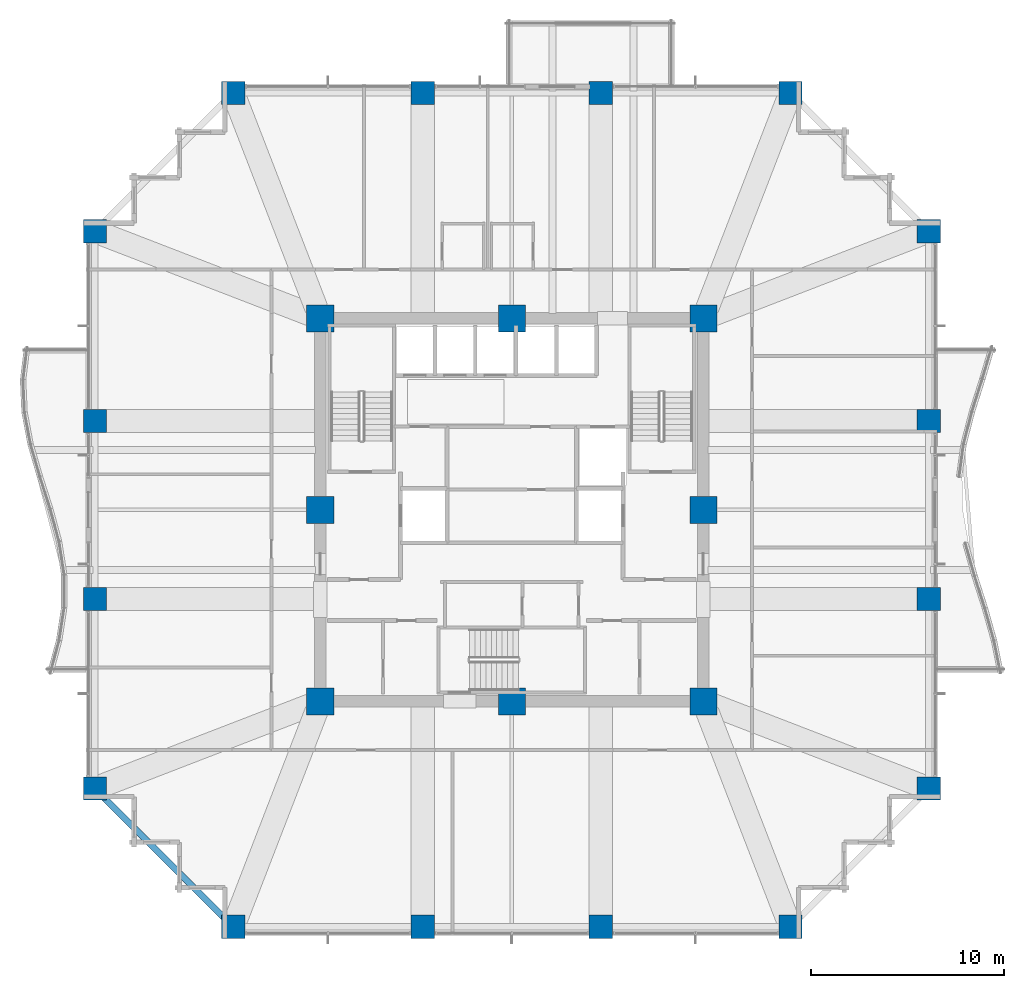
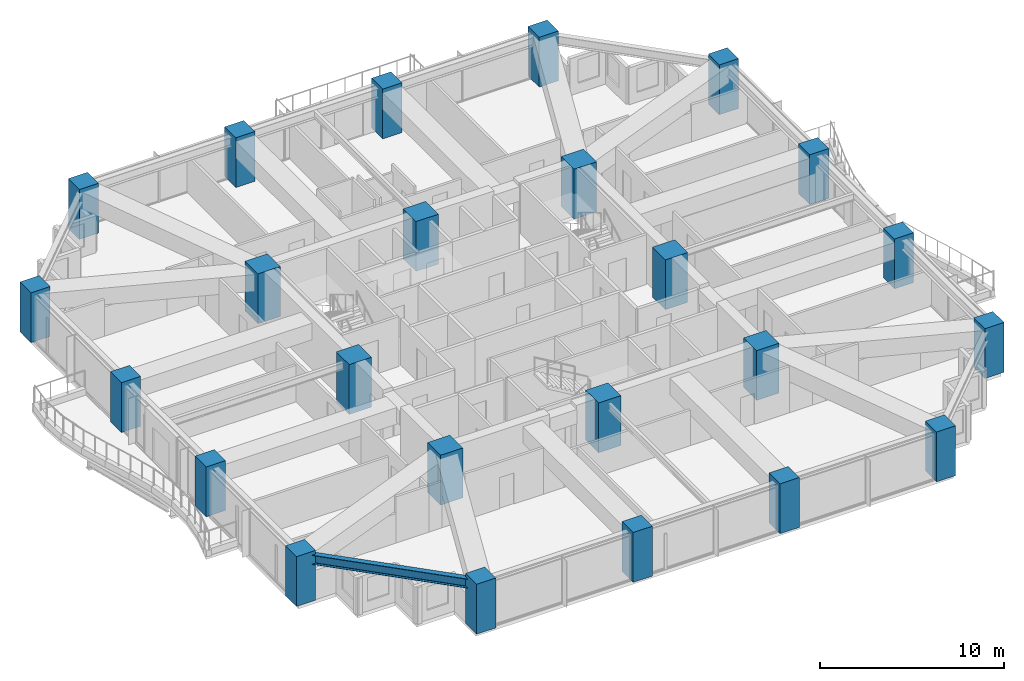
# One storey, part 1 of 39: 24 columns, 1 beam.
"""IFC4 building model written with IfcOpenShell, lengths in metres."""

from ifc_helpers import new_model, si_unit, direction, frame, origin, origin_2d, place, context, subcontext, project, spatial, rectangle, i_section, extrude, material, material_profile, profile_set, type_object, element, save


model = new_model("IFC4")

# Units and contexts
model_context = context("Model", 3, precision=1e-05, world=origin(), true_north=direction((0.0, 1.0)))
body_context = subcontext(model_context, "Body", "Model", "MODEL_VIEW")
ifc_project = project(units=[si_unit("LENGTHUNIT", "METRE"), si_unit("AREAUNIT", "SQUARE_METRE"), si_unit("VOLUMEUNIT", "CUBIC_METRE"), si_unit("PLANEANGLEUNIT", "RADIAN"), si_unit("MASSUNIT", "GRAM", prefix="KILO")], contexts=[model_context])

# Site, building, storey
site_placement = place(None, origin())
site = spatial("IfcSite", under=ifc_project, at=site_placement, CompositionType="ELEMENT")
building_placement = place(site_placement, origin())
building = spatial("IfcBuilding", under=site, at=building_placement, Name="Kolvaren Belvedere", CompositionType="ELEMENT")
storey_placement = place(building_placement, frame((0.0, 0.0, 33.699951171875)))
storey = spatial("IfcBuildingStorey", under=building, at=storey_placement, Name="L09", CompositionType="ELEMENT", Elevation=33.699951171875)

# Columns
ifc_material_1 = material(Name="Concrete C60/75", Category="concrete")
ifc_material_profile_1 = material_profile(ifc_material_1, rectangle(XDim=1.199951171875, YDim=1.199951171875, at=origin_2d()), Name="RC 1200X1200")
ifc_profile_set_1 = profile_set([ifc_material_profile_1], Name="Concrete C60/75")
column_type_1 = type_object("IfcColumnType", Name="COL-RC-1200", PredefinedType="COLUMN", material=ifc_profile_set_1)
for number, where, z_axis, x_axis, name in (
    (1, (-14.39990234375, -21.550048828125, 0.0), (0.0, 0.0, 1.0), (1.0, 0.0, 0.0), "L09 Perimeter Column S1"),
    (2, (-4.60009765625, -21.550048828125, 0.0), (0.0, 0.0, 1.0), (1.0, 0.0, 0.0), "L09 Perimeter Column S2"),
    (3, (4.60009765625, -21.550048828125, 0.0), (0.0, 0.0, 1.0), (1.0, 0.0, 0.0), "L09 Perimeter Column S3"),
    (4, (14.39990234375, -21.550048828125, 0.0), (0.0, 0.0, 1.0), (1.0, 0.0, 0.0), "L09 Perimeter Column S4"),
    (5, (-14.39990234375, 21.550048828125, 0.0), (0.0, 0.0, 1.0), (1.0, 0.0, 0.0), "L09 Perimeter Column N1"),
    (6, (-4.60009765625, 21.550048828125, 0.0), (0.0, 0.0, 1.0), (1.0, 0.0, 0.0), "L09 Perimeter Column N2"),
    (7, (4.60009765625, 21.550048828125, 0.0), (0.0, 0.0, 1.0), (1.0, 0.0, 0.0), "L09 Perimeter Column N3"),
    (8, (14.39990234375, 21.550048828125, 0.0), (0.0, 0.0, 1.0), (1.0, 0.0, 0.0), "L09 Perimeter Column N4"),
    (9, (-21.550048828125, -14.39990234375, 0.0), (0.0, 0.0, 1.0), (1.0, 0.0, 0.0), "L09 Perimeter Column W1"),
    (10, (-21.550048828125, -4.60009765625, 0.0), (0.0, 0.0, 1.0), (1.0, 0.0, 0.0), "L09 Perimeter Column W2"),
    (11, (-21.550048828125, 4.60009765625, 0.0), (0.0, 0.0, 1.0), (1.0, 0.0, 0.0), "L09 Perimeter Column W3"),
    (12, (-21.550048828125, 14.39990234375, 0.0), (0.0, 0.0, 1.0), (1.0, 0.0, 0.0), "L09 Perimeter Column W4"),
    (13, (21.550048828125, -14.39990234375, 0.0), (0.0, 0.0, 1.0), (1.0, 0.0, 0.0), "L09 Perimeter Column E1"),
    (14, (21.550048828125, -4.60009765625, 0.0), (0.0, 0.0, 1.0), (1.0, 0.0, 0.0), "L09 Perimeter Column E2"),
    (15, (21.550048828125, 4.60009765625, 0.0), (0.0, 0.0, 1.0), (1.0, 0.0, 0.0), "L09 Perimeter Column E3"),
    (16, (21.550048828125, 14.39990234375, 0.0), (0.0, 0.0, 1.0), (1.0, 0.0, 0.0), "L09 Perimeter Column E4"),
):
    element("IfcColumn", number, at=place(storey_placement, frame(where, z_axis=z_axis, x_axis=x_axis)), inside=storey, type_object=column_type_1, Name=name, PredefinedType="COLUMN", context=body_context, shape_type="SweptSolid", body=[
        extrude(rectangle(XDim=1.199951171875, YDim=1.199951171875, at=origin_2d()), origin(), (0.0, 0.0, 1.0), 3.300048828125),
    ])
ifc_material_2 = material(Name="Concrete C60/75", Category="concrete")
ifc_material_profile_2 = material_profile(ifc_material_2, rectangle(XDim=1.39990234375, YDim=1.39990234375, at=origin_2d()), Name="RC 1400X1400")
ifc_profile_set_2 = profile_set([ifc_material_profile_2], Name="Concrete C60/75")
column_type_2 = type_object("IfcColumnType", Name="COL-RC-1400", PredefinedType="COLUMN", material=ifc_profile_set_2)
for number, where, z_axis, x_axis, name in (
    (17, (-9.89990234375, -9.89990234375, 0.0), (0.0, 0.0, 1.0), (1.0, 0.0, 0.0), "L09 Core Column CC1"),
    (18, (9.89990234375, -9.89990234375, 0.0), (0.0, 0.0, 1.0), (1.0, 0.0, 0.0), "L09 Core Column CC2"),
    (19, (9.89990234375, 9.89990234375, 0.0), (0.0, 0.0, 1.0), (1.0, 0.0, 0.0), "L09 Core Column CC3"),
    (20, (-9.89990234375, 9.89990234375, 0.0), (0.0, 0.0, 1.0), (1.0, 0.0, 0.0), "L09 Core Column CC4"),
    (21, (0.0, -9.89990234375, 0.0), (0.0, 0.0, 1.0), (1.0, 0.0, 0.0), "L09 Core Column CM1"),
    (22, (9.89990234375, 0.0, 0.0), (0.0, 0.0, 1.0), (1.0, 0.0, 0.0), "L09 Core Column CM2"),
    (23, (0.0, 9.89990234375, 0.0), (0.0, 0.0, 1.0), (1.0, 0.0, 0.0), "L09 Core Column CM3"),
    (24, (-9.89990234375, 0.0, 0.0), (0.0, 0.0, 1.0), (1.0, 0.0, 0.0), "L09 Core Column CM4"),
):
    element("IfcColumn", number, at=place(storey_placement, frame(where, z_axis=z_axis, x_axis=x_axis)), inside=storey, type_object=column_type_2, Name=name, PredefinedType="COLUMN", context=body_context, shape_type="SweptSolid", body=[
        extrude(rectangle(XDim=1.39990234375, YDim=1.39990234375, at=origin_2d()), origin(), (0.0, 0.0, 1.0), 3.300048828125),
    ])

# Beam
ifc_material_3 = material(Name="Structural steel ASTM A992 Grade 50", Category="steel")
ifc_material_profile_3 = material_profile(ifc_material_3, i_section(OverallWidth=0.324951171875, OverallDepth=0.615966796875, WebThickness=0.013916015625, FlangeThickness=0.021484375, FilletRadius=0.02001953125, at=origin_2d()), Name="W24X117")
ifc_profile_set_3 = profile_set([ifc_material_profile_3], Name="Structural steel ASTM A992 Grade 50")
beam_type = type_object("IfcBeamType", Name="BM-SPAN-W24X117", PredefinedType="SPANDREL", material=ifc_profile_set_3)
beam_placement = place(storey_placement, frame((-21.359130859375, -14.5908203125, 2.751953125), z_axis=(0.707106781187, -0.707106781187, 0.0), x_axis=(0.707106781187, 0.707106781187, 0.0)))
element("IfcBeam", 25, at=beam_placement, inside=storey, type_object=beam_type, Name="L09 Perimeter Spandrel W1-S1", PredefinedType="SPANDREL", context=body_context, shape_type="SweptSolid", body=[
    extrude(i_section(OverallWidth=0.324951171875, OverallDepth=0.615966796875, WebThickness=0.013916015625, FlangeThickness=0.021484375, FilletRadius=0.02001953125, at=origin_2d()), origin(), (0.0, 0.0, 1.0), 9.57177734375),
])

save(model, "model.ifc")
